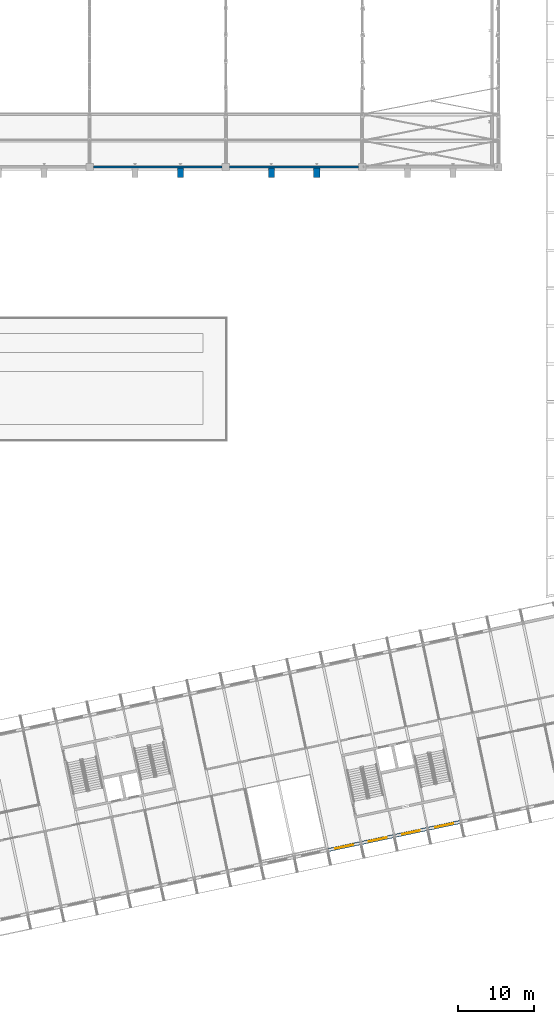
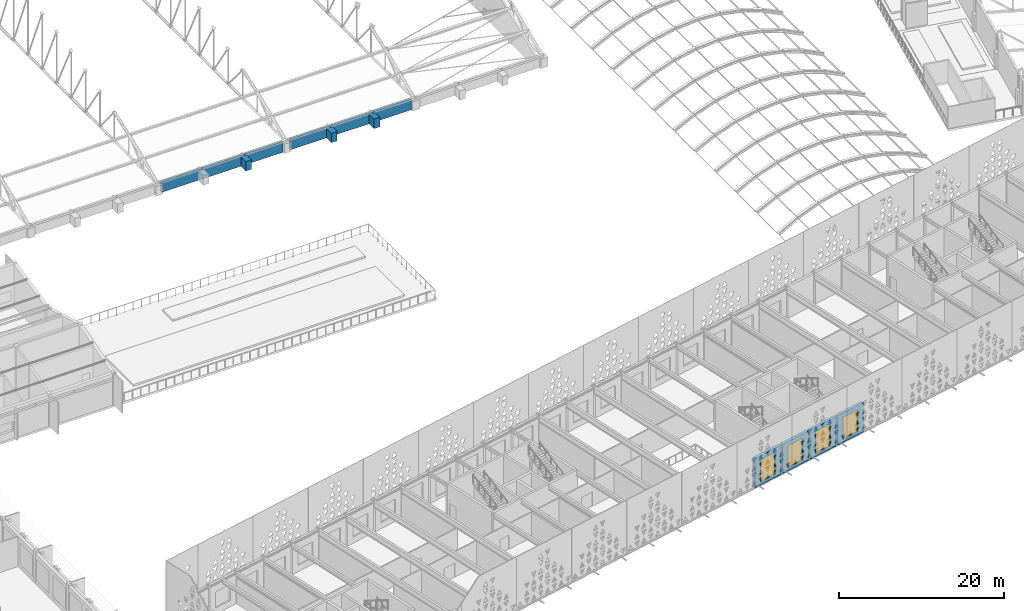
# One storey, part 121 of 196: 9 walls, 4 windows, 4 openings.
"""IFC4 building model written with IfcOpenShell, lengths in metres."""

from ifc_helpers import new_model, si_unit, direction, frame, frame_2d, origin, place, context, subcontext, project, spatial, rectangle, extrude, material, layer, layer_set, type_object, element, fill, save


model = new_model("IFC4")

# Units and contexts
model_context = context("Model", 3, precision=1e-05, world=origin(), true_north=direction((0.0, 1.0)))
body_context = subcontext(model_context, "Body", "Model", "MODEL_VIEW")
ifc_project = project(units=[si_unit("LENGTHUNIT", "METRE"), si_unit("AREAUNIT", "SQUARE_METRE"), si_unit("VOLUMEUNIT", "CUBIC_METRE"), si_unit("PLANEANGLEUNIT", "RADIAN"), si_unit("MASSUNIT", "GRAM", prefix="KILO")], contexts=[model_context])

# Site, building, storey
site_placement = place(None, origin())
site = spatial("IfcSite", under=ifc_project, at=site_placement, CompositionType="ELEMENT")
building_placement = place(site_placement, origin())
building = spatial("IfcBuilding", under=site, at=building_placement, Name="Okhra Congress Centre", CompositionType="ELEMENT")
storey_placement = place(building_placement, frame((0.0, 0.0, 12.0)))
storey = spatial("IfcBuildingStorey", under=building, at=storey_placement, Name="L02", CompositionType="ELEMENT", Elevation=12.0)

# Walls
ifc_material_1 = material(Name="Concrete C35/45", Category="concrete")
ifc_layer_1 = layer(ifc_material_1, 0.800048828125)
ifc_layer_set_1 = layer_set([ifc_layer_1], Name="Buttress fin 800 REI 120 C35/45")
wall_type_1 = type_object("IfcWallType", Name="Buttress fin 800 REI 120 C35/45", PredefinedType="SOLIDWALL", material=ifc_layer_set_1)
for number, where, z_axis, x_axis, name in (
    (1, (112.0, 130.64990234375, 0.0), (0.0, 0.0, 1.0), (0.0, 1.0, 0.0), "EH.WALL.L02.17"),
    (2, (124.0, 130.64990234375, 0.0), (0.0, 0.0, 1.0), (0.0, 1.0, 0.0), "EH.WALL.L02.18"),
    (3, (130.0, 130.64990234375, 0.0), (0.0, 0.0, 1.0), (0.0, 1.0, 0.0), "EH.WALL.L02.19"),
):
    element("IfcWall", number, at=place(storey_placement, frame(where, z_axis=z_axis, x_axis=x_axis)), inside=storey, type_object=wall_type_1, Name=name, PredefinedType="SOLIDWALL", context=body_context, shape_type="SweptSolid", body=[
        extrude(rectangle(XDim=1.210205078125, YDim=0.800048828125, at=frame_2d((0.60498046875, 0.0))), origin(), (0.0, 0.0, 1.0), 1.39990234375),
    ])

# Wall, opening, window
ifc_material_2 = material(Name="Insulated metal panel on steel stud (mineral wool, vapour barrier)", Category="steel")
ifc_layer_2 = layer(ifc_material_2, 0.449951171875)
ifc_layer_set_2 = layer_set([ifc_layer_2], Name="Insulated wall 450")
wall_type_2 = type_object("IfcWallType", Name="Insulated wall 450", PredefinedType="SOLIDWALL", material=ifc_layer_set_2)
wall_1_placement = place(storey_placement, frame((131.584228515625, 41.81005859375, 0.0), z_axis=(0.0, 0.0, 1.0), x_axis=(0.978146440129, 0.207917150959, 0.0)))
wall_1 = element("IfcWall", 4, at=wall_1_placement, inside=storey, type_object=wall_type_2, Name="External wall S17 L02", PredefinedType="SOLIDWALL", context=body_context, shape_type="SweptSolid", body=[
    extrude(rectangle(XDim=4.2001953125, YDim=0.449951171875, at=frame_2d((2.10009765625, 0.0))), origin(), (0.0, 0.0, 1.0), 4.35009765625),
])
opening_1_placement = place(wall_1_placement, frame((0.89990234375, 0.0, 0.449951171875)))
opening_1 = element("IfcOpeningElement", 5, at=opening_1_placement, cuts=wall_1, Name="Opening WN21", PredefinedType="OPENING", context=body_context, shape_type="SweptSolid", body=[
    extrude(rectangle(XDim=2.39990234375, YDim=3.300048828125, at=frame_2d((1.199951171875, 1.64990234375))), frame((0.0, 0.23486328125, 0.0), z_axis=(0.0, -1.0, 0.0), x_axis=(1.0, 0.0, 0.0)), (0.0, 0.0, 1.0), 0.469970703125),
])
ifc_material_3 = material(Name="Thermally broken aluminium frame, triple glazing", Category="aluminium")
window_type = type_object("IfcWindowType", Name="Two-light window 2400x3300", PartitioningType="DOUBLE_PANEL_VERTICAL", PredefinedType="WINDOW", material=ifc_material_3)
window_1_placement = place(opening_1_placement, origin())
window_1 = element("IfcWindow", 6, at=window_1_placement, inside=storey, type_object=window_type, Name="BX.WIN.L02.17", OverallHeight=3.300048828125, OverallWidth=2.39990234375, PartitioningType="DOUBLE_PANEL_VERTICAL", PredefinedType="WINDOW", context=body_context, shape_type="SweptSolid", body=[
    extrude(rectangle(XDim=2.39990234375, YDim=3.300048828125, at=frame_2d((1.199951171875, 1.64990234375))), frame((0.0, 0.030029296875, 0.0), z_axis=(0.0, -1.0, 0.0), x_axis=(1.0, 0.0, 0.0)), (0.0, 0.0, 1.0), 0.06005859375),
])
fill(opening_1, window_1)

wall_2_placement = place(storey_placement, frame((135.986083984375, 42.74560546875, 0.0), z_axis=(0.0, 0.0, 1.0), x_axis=(0.978143927149, 0.207928972925, 0.0)))
wall_2 = element("IfcWall", 7, at=wall_2_placement, inside=storey, type_object=wall_type_2, Name="External wall S18 L02", PredefinedType="SOLIDWALL", context=body_context, shape_type="SweptSolid", body=[
    extrude(rectangle(XDim=4.199951171875, YDim=0.449951171875, at=frame_2d((2.10009765625, 0.0))), origin(), (0.0, 0.0, 1.0), 4.35009765625),
])
opening_2_placement = place(wall_2_placement, frame((0.89990234375, 0.0, 0.449951171875)))
opening_2 = element("IfcOpeningElement", 8, at=opening_2_placement, cuts=wall_2, Name="Opening WN21", PredefinedType="OPENING", context=body_context, shape_type="SweptSolid", body=[
    extrude(rectangle(XDim=2.39990234375, YDim=3.300048828125, at=frame_2d((1.199951171875, 1.64990234375))), frame((0.0, 0.23486328125, 0.0), z_axis=(0.0, -1.0, 0.0), x_axis=(1.0, 0.0, 0.0)), (0.0, 0.0, 1.0), 0.469970703125),
])
window_2_placement = place(opening_2_placement, origin())
window_2 = element("IfcWindow", 9, at=window_2_placement, inside=storey, type_object=window_type, Name="BX.WIN.L02.18", OverallHeight=3.300048828125, OverallWidth=2.39990234375, PartitioningType="DOUBLE_PANEL_VERTICAL", PredefinedType="WINDOW", context=body_context, shape_type="SweptSolid", body=[
    extrude(rectangle(XDim=2.39990234375, YDim=3.300048828125, at=frame_2d((1.199951171875, 1.64990234375))), frame((0.0, 0.030029296875, 0.0), z_axis=(0.0, -1.0, 0.0), x_axis=(1.0, 0.0, 0.0)), (0.0, 0.0, 1.0), 0.06005859375),
])
fill(opening_2, window_2)

wall_3_placement = place(storey_placement, frame((140.3876953125, 43.68115234375, 0.0), z_axis=(0.0, 0.0, 1.0), x_axis=(0.978143927149, 0.207928972925, 0.0)))
wall_3 = element("IfcWall", 10, at=wall_3_placement, inside=storey, type_object=wall_type_2, Name="External wall S19 L02", PredefinedType="SOLIDWALL", context=body_context, shape_type="SweptSolid", body=[
    extrude(rectangle(XDim=4.199951171875, YDim=0.449951171875, at=frame_2d((2.10009765625, 0.0))), origin(), (0.0, 0.0, 1.0), 4.35009765625),
])
opening_3_placement = place(wall_3_placement, frame((0.89990234375, 0.0, 0.449951171875)))
opening_3 = element("IfcOpeningElement", 11, at=opening_3_placement, cuts=wall_3, Name="Opening WN21", PredefinedType="OPENING", context=body_context, shape_type="SweptSolid", body=[
    extrude(rectangle(XDim=2.39990234375, YDim=3.300048828125, at=frame_2d((1.199951171875, 1.64990234375))), frame((0.0, 0.23486328125, 0.0), z_axis=(0.0, -1.0, 0.0), x_axis=(1.0, 0.0, 0.0)), (0.0, 0.0, 1.0), 0.469970703125),
])
window_3_placement = place(opening_3_placement, origin())
window_3 = element("IfcWindow", 12, at=window_3_placement, inside=storey, type_object=window_type, Name="BX.WIN.L02.19", OverallHeight=3.300048828125, OverallWidth=2.39990234375, PartitioningType="DOUBLE_PANEL_VERTICAL", PredefinedType="WINDOW", context=body_context, shape_type="SweptSolid", body=[
    extrude(rectangle(XDim=2.39990234375, YDim=3.300048828125, at=frame_2d((1.199951171875, 1.64990234375))), frame((0.0, 0.030029296875, 0.0), z_axis=(0.0, -1.0, 0.0), x_axis=(1.0, 0.0, 0.0)), (0.0, 0.0, 1.0), 0.06005859375),
])
fill(opening_3, window_3)

wall_4_placement = place(storey_placement, frame((144.789306640625, 44.616943359375, 0.0), z_axis=(0.0, 0.0, 1.0), x_axis=(0.978155748334, 0.207873355681, 0.0)))
wall_4 = element("IfcWall", 13, at=wall_4_placement, inside=storey, type_object=wall_type_2, Name="External wall S20 L02", PredefinedType="SOLIDWALL", context=body_context, shape_type="SweptSolid", body=[
    extrude(rectangle(XDim=4.199951171875, YDim=0.449951171875, at=frame_2d((2.10009765625, 0.0))), origin(), (0.0, 0.0, 1.0), 4.35009765625),
])
opening_4_placement = place(wall_4_placement, frame((0.89990234375, 0.0, 0.449951171875)))
opening_4 = element("IfcOpeningElement", 14, at=opening_4_placement, cuts=wall_4, Name="Opening WN21", PredefinedType="OPENING", context=body_context, shape_type="SweptSolid", body=[
    extrude(rectangle(XDim=2.39990234375, YDim=3.300048828125, at=frame_2d((1.199951171875, 1.64990234375))), frame((0.0, 0.23486328125, 0.0), z_axis=(0.0, -1.0, 0.0), x_axis=(1.0, 0.0, 0.0)), (0.0, 0.0, 1.0), 0.469970703125),
])
window_4_placement = place(opening_4_placement, origin())
window_4 = element("IfcWindow", 15, at=window_4_placement, inside=storey, type_object=window_type, Name="BX.WIN.L02.20", OverallHeight=3.300048828125, OverallWidth=2.39990234375, PartitioningType="DOUBLE_PANEL_VERTICAL", PredefinedType="WINDOW", context=body_context, shape_type="SweptSolid", body=[
    extrude(rectangle(XDim=2.39990234375, YDim=3.300048828125, at=frame_2d((1.199951171875, 1.64990234375))), frame((0.0, 0.030029296875, 0.0), z_axis=(0.0, -1.0, 0.0), x_axis=(1.0, 0.0, 0.0)), (0.0, 0.0, 1.0), 0.06005859375),
])
fill(opening_4, window_4)

# Walls
ifc_material_4 = material(Name="Insulated metal sandwich panel (mineral wool core)")
ifc_layer_3 = layer(ifc_material_4, 0.300048828125)
ifc_layer_set_3 = layer_set([ifc_layer_3], Name="Insulated wall panel 300")
wall_type_3 = type_object("IfcWallType", Name="Insulated wall panel 300", PredefinedType="SOLIDWALL", material=ifc_layer_set_3)
for number, where, z_axis, x_axis, name in (
    (16, (100.5, 132.0, 0.0), (0.0, 0.0, 1.0), (1.0, 0.0, 0.0), "EH.WALL.L02.5"),
    (17, (118.5, 132.0, 0.0), (0.0, 0.0, 1.0), (1.0, 0.0, 0.0), "EH.WALL.L02.6"),
):
    element("IfcWall", number, at=place(storey_placement, frame(where, z_axis=z_axis, x_axis=x_axis)), inside=storey, type_object=wall_type_3, Name=name, PredefinedType="SOLIDWALL", context=body_context, shape_type="SweptSolid", body=[
        extrude(rectangle(XDim=17.0, YDim=0.300048828125, at=frame_2d((8.5, 0.0))), origin(), (0.0, 0.0, 1.0), 1.57666015625),
    ])

save(model, "model.ifc")
